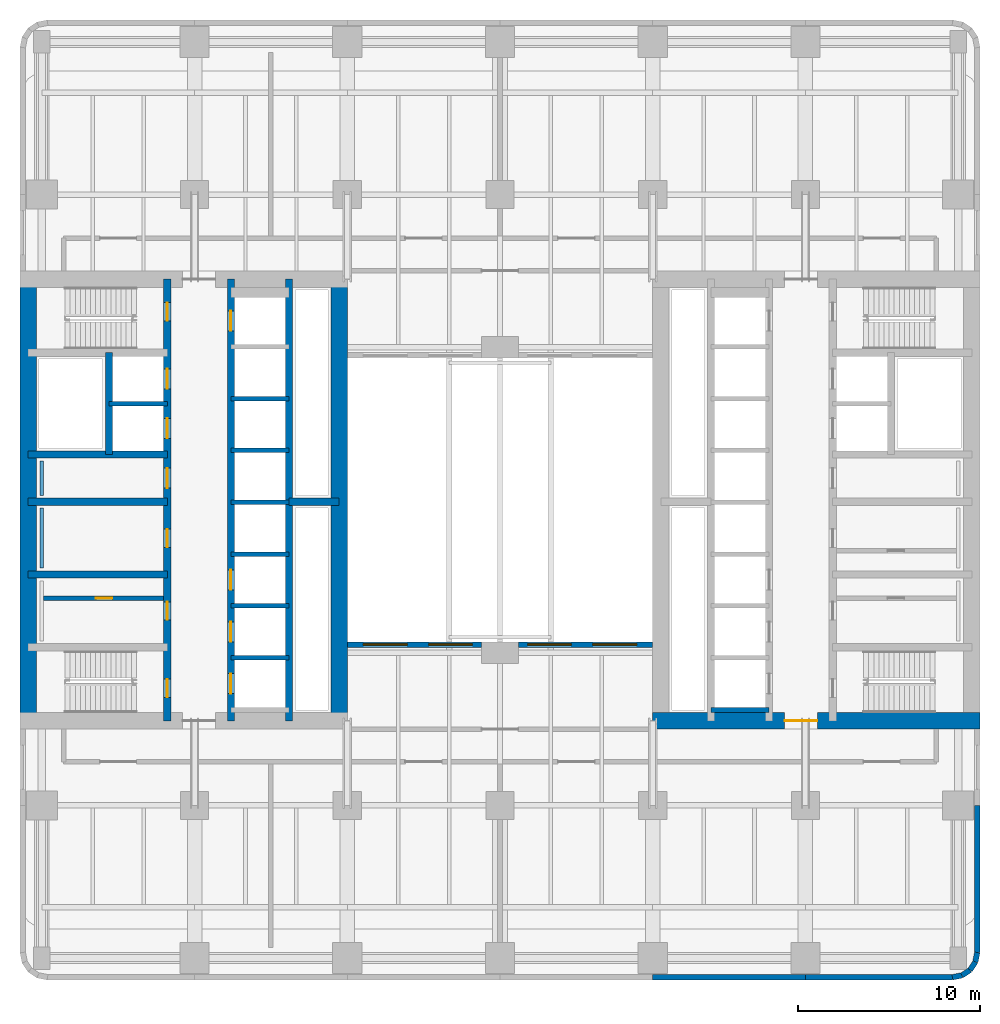
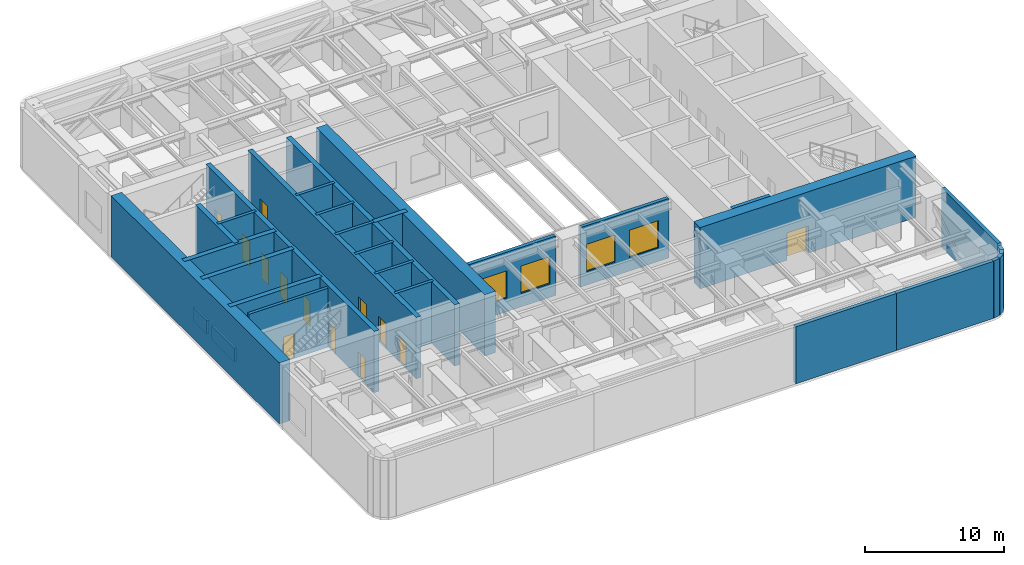
# One storey, part 4 of 11: 31 walls, 13 doors, 4 windows, 17 openings.
"""IFC4 building model written with IfcOpenShell, lengths in metres."""

from ifc_helpers import new_model, si_unit, direction, frame, frame_2d, origin, place, context, subcontext, project, spatial, rectangle, extrude, material, layer, layer_set, type_object, element, fill, save


model = new_model("IFC4")

# Units and contexts
model_context = context("Model", 3, precision=1e-05, world=origin(), true_north=direction((0.0, 1.0)))
body_context = subcontext(model_context, "Body", "Model", "MODEL_VIEW")
ifc_project = project(units=[si_unit("LENGTHUNIT", "METRE"), si_unit("AREAUNIT", "SQUARE_METRE"), si_unit("VOLUMEUNIT", "CUBIC_METRE"), si_unit("PLANEANGLEUNIT", "RADIAN"), si_unit("MASSUNIT", "GRAM", prefix="KILO")], contexts=[model_context])

# Site, building, storey
site_placement = place(None, origin())
site = spatial("IfcSite", under=ifc_project, at=site_placement, CompositionType="ELEMENT")
building_placement = place(site_placement, origin())
building = spatial("IfcBuilding", under=site, at=building_placement, Name="Claustro Exchange Tower", CompositionType="ELEMENT")
storey_placement = place(building_placement, frame((0.0, 0.0, 90.89990234375)))
storey = spatial("IfcBuildingStorey", under=building, at=storey_placement, Name="L20", CompositionType="ELEMENT", Elevation=90.89990234375)

# Wall, opening, door
ifc_material_1 = material(Name="Concrete blockwork, rendered", Category="masonry")
ifc_layer_1 = layer(ifc_material_1, 0.25)
ifc_layer_set_1 = layer_set([ifc_layer_1], Name="Concrete blockwork, rendered")
wall_type_1 = type_object("IfcWallType", Name="P4 250 blockwork wall", PredefinedType="PARTITIONING", material=ifc_layer_set_1)
wall_1_placement = place(storey_placement, frame((0.10009765625, 19.800048828125, 0.0), z_axis=(0.0, 0.0, 1.0), x_axis=(1.0, 0.0, 0.0)))
wall_1 = element("IfcWall", 1, at=wall_1_placement, inside=storey, type_object=wall_type_1, Name="Partition P4 L20", PredefinedType="PARTITIONING", context=body_context, shape_type="SweptSolid", body=[
    extrude(rectangle(XDim=6.599853515625, YDim=0.25, at=frame_2d((3.2998046875, 0.0))), origin(), (0.0, 0.0, 1.0), 5.2001953125),
])
opening_1_placement = place(wall_1_placement, frame((2.875, 0.0, 0.0)))
opening_1 = element("IfcOpeningElement", 2, at=opening_1_placement, cuts=wall_1, Name="Opening D5", PredefinedType="OPENING", context=body_context, shape_type="SweptSolid", body=[
    extrude(rectangle(XDim=0.89990234375, YDim=2.199951171875, at=frame_2d((0.449951171875, 1.10009765625))), frame((0.0, 0.135009765625, 0.0), z_axis=(0.0, -1.0, 0.0), x_axis=(1.0, 0.0, 0.0)), (0.0, 0.0, 1.0), 0.27001953125),
])
ifc_material_2 = material(Name="Steel door, painted", Category="steel")
door_type_1 = type_object("IfcDoorType", Name="D5 900 x 2200 store door", OperationType="SINGLE_SWING_LEFT", PredefinedType="DOOR", material=ifc_material_2)
door_1_placement = place(opening_1_placement, origin())
door_1 = element("IfcDoor", 3, at=door_1_placement, inside=storey, type_object=door_type_1, Name="Store door D5 L20", OperationType="SINGLE_SWING_LEFT", OverallHeight=2.199951171875, OverallWidth=0.89990234375, PredefinedType="DOOR", context=body_context, shape_type="SweptSolid", body=[
    extrude(rectangle(XDim=0.89990234375, YDim=2.199951171875, at=frame_2d((0.449951171875, 1.10009765625))), frame((0.0, 0.02490234375, 0.0), z_axis=(0.0, -1.0, 0.0), x_axis=(1.0, 0.0, 0.0)), (0.0, 0.0, 1.0), 0.050048828125),
])
fill(opening_1, door_1)

# Walls
ifc_material_3 = material(Name="Concrete HA-40 (C40/50), precast, white cement, acid-etched", Category="concrete")
ifc_layer_2 = layer(ifc_material_3, 0.300048828125)
ifc_layer_set_2 = layer_set([ifc_layer_2], Name="Concrete HA-40 (C40/50), precast, white cement, acid-etched")
wall_type_2 = type_object("IfcWallType", Name="PC1 300 precast concrete pier panel", PredefinedType="SOLIDWALL", material=ifc_layer_set_2)
wall_2_placement = place(storey_placement, frame((50.085205078125, -1.050048828125, 0.0), z_axis=(0.0, 0.0, 1.0), x_axis=(-1.0, 0.0, 0.0)))
element("IfcWall", 4, at=wall_2_placement, inside=storey, type_object=wall_type_2, Name="Precast pier panel PC1 L20", PredefinedType="SOLIDWALL", context=body_context, shape_type="SweptSolid", body=[
    extrude(rectangle(XDim=8.085205078125, YDim=0.300048828125, at=frame_2d((4.04248046875, 0.0))), origin(), (0.0, 0.0, 1.0), 5.0400390625),
])
wall_3_placement = place(storey_placement, frame((42.0, -1.050048828125, 0.0), z_axis=(0.0, 0.0, 1.0), x_axis=(-1.0, 0.0, 0.0)))
element("IfcWall", 5, at=wall_3_placement, inside=storey, type_object=wall_type_2, Name="Precast pier panel PC1 L20", PredefinedType="SOLIDWALL", context=body_context, shape_type="SweptSolid", body=[
    extrude(rectangle(XDim=8.39990234375, YDim=0.300048828125, at=frame_2d((4.199951171875, 0.0))), origin(), (0.0, 0.0, 1.0), 5.0400390625),
])
wall_4_placement = place(storey_placement, frame((51.449951171875, 8.39990234375, 0.0), z_axis=(0.0, 0.0, 1.0), x_axis=(0.0, -1.0, 0.0)))
element("IfcWall", 6, at=wall_4_placement, inside=storey, type_object=wall_type_2, Name="Precast pier panel PC1 L20", PredefinedType="SOLIDWALL", context=body_context, shape_type="SweptSolid", body=[
    extrude(rectangle(XDim=8.085205078125, YDim=0.300048828125, at=frame_2d((4.04248046875, 0.0))), origin(), (0.0, 0.0, 1.0), 5.239990234375),
])
wall_5_placement = place(storey_placement, frame((51.449951171875, 0.314697265625, 0.0), z_axis=(0.0, 0.0, 1.0), x_axis=(-0.195073962632, -0.980788534345, 0.0)))
element("IfcWall", 7, at=wall_5_placement, inside=storey, type_object=wall_type_2, Name="Precast pier panel PC1 L20", PredefinedType="SOLIDWALL", context=body_context, shape_type="SweptSolid", body=[
    extrude(rectangle(XDim=0.540771484375, YDim=0.300048828125, at=frame_2d((0.2705078125, 0.0))), origin(), (0.0, 0.0, 1.0), 5.0400390625),
])
for number, where, z_axis, x_axis, name in (
    (8, (51.344482421875, -0.215576171875, 0.0), (0.0, 0.0, 1.0), (-0.555557463938, -0.831478144188, 0.0), "Precast pier panel PC1 L20"),
    (9, (51.052490234375, -0.652587890625, 0.0), (0.0, 0.0, 1.0), (-0.831478144188, -0.555557463938, 0.0), "Precast pier panel PC1 L20"),
):
    element("IfcWall", number, at=place(storey_placement, frame(where, z_axis=z_axis, x_axis=x_axis)), inside=storey, type_object=wall_type_2, Name=name, PredefinedType="SOLIDWALL", context=body_context, shape_type="SweptSolid", body=[
        extrude(rectangle(XDim=0.525634765625, YDim=0.300048828125, at=frame_2d((0.2626953125, 0.0))), origin(), (0.0, 0.0, 1.0), 5.0400390625),
    ])
wall_6_placement = place(storey_placement, frame((50.615478515625, -0.944580078125, 0.0), z_axis=(0.0, 0.0, 1.0), x_axis=(-0.980788534345, -0.195073962632, 0.0)))
element("IfcWall", 10, at=wall_6_placement, inside=storey, type_object=wall_type_2, Name="Precast pier panel PC1 L20", PredefinedType="SOLIDWALL", context=body_context, shape_type="SweptSolid", body=[
    extrude(rectangle(XDim=0.540771484375, YDim=0.300048828125, at=frame_2d((0.2705078125, 0.0))), origin(), (0.0, 0.0, 1.0), 5.0400390625),
])

# Wall, openings, windows
wall_7_placement = place(storey_placement, frame((16.800048828125, 17.25, 0.0), z_axis=(0.0, 0.0, 1.0), x_axis=(1.0, 0.0, 0.0)))
wall_7 = element("IfcWall", 11, at=wall_7_placement, inside=storey, type_object=wall_type_2, Name="Precast pier panel PC1 L20", PredefinedType="SOLIDWALL", context=body_context, shape_type="SweptSolid", body=[
    extrude(rectangle(XDim=7.375, YDim=0.300048828125, at=frame_2d((3.6875, 0.0))), origin(), (0.0, 0.0, 1.0), 5.239990234375),
])
opening_2_placement = place(wall_7_placement, frame((0.887451171875, 0.0, 1.199951171875)))
opening_2 = element("IfcOpeningElement", 12, at=opening_2_placement, cuts=wall_7, Name="Opening L2", PredefinedType="OPENING", context=body_context, shape_type="SweptSolid", body=[
    extrude(rectangle(XDim=2.39990234375, YDim=2.39990234375, at=frame_2d((1.199951171875, 1.199951171875))), frame((0.0, 0.159912109375, 0.0), z_axis=(0.0, -1.0, 0.0), x_axis=(1.0, 0.0, 0.0)), (0.0, 0.0, 1.0), 0.320068359375),
])
opening_3_placement = place(wall_7_placement, frame((4.487548828125, 0.0, 1.199951171875)))
opening_3 = element("IfcOpeningElement", 13, at=opening_3_placement, cuts=wall_7, Name="Opening L2", PredefinedType="OPENING", context=body_context, shape_type="SweptSolid", body=[
    extrude(rectangle(XDim=2.39990234375, YDim=2.39990234375, at=frame_2d((1.199951171875, 1.199951171875))), frame((0.0, 0.159912109375, 0.0), z_axis=(0.0, -1.0, 0.0), x_axis=(1.0, 0.0, 0.0)), (0.0, 0.0, 1.0), 0.320068359375),
])
ifc_material_4 = material(Name="Aluminium louvre blades", Category="aluminium")
window_type = type_object("IfcWindowType", Name="L2 2400 x 2400 plant louvre", PartitioningType="SINGLE_PANEL", PredefinedType="USERDEFINED", material=ifc_material_4)
window_1_placement = place(opening_2_placement, origin())
window_1 = element("IfcWindow", 14, at=window_1_placement, inside=storey, type_object=window_type, Name="Plant louvre L2 L20", ObjectType="LOUVRE", OverallHeight=2.39990234375, OverallWidth=2.39990234375, PartitioningType="SINGLE_PANEL", PredefinedType="USERDEFINED", context=body_context, shape_type="SweptSolid", body=[
    extrude(rectangle(XDim=2.39990234375, YDim=2.39990234375, at=frame_2d((1.199951171875, 1.199951171875))), frame((0.0, 0.030029296875, 0.0), z_axis=(0.0, -1.0, 0.0), x_axis=(1.0, 0.0, 0.0)), (0.0, 0.0, 1.0), 0.06005859375),
])
fill(opening_2, window_1)
window_2_placement = place(opening_3_placement, origin())
window_2 = element("IfcWindow", 15, at=window_2_placement, inside=storey, type_object=window_type, Name="Plant louvre L2 L20", ObjectType="LOUVRE", OverallHeight=2.39990234375, OverallWidth=2.39990234375, PartitioningType="SINGLE_PANEL", PredefinedType="USERDEFINED", context=body_context, shape_type="SweptSolid", body=[
    extrude(rectangle(XDim=2.39990234375, YDim=2.39990234375, at=frame_2d((1.199951171875, 1.199951171875))), frame((0.0, 0.030029296875, 0.0), z_axis=(0.0, -1.0, 0.0), x_axis=(1.0, 0.0, 0.0)), (0.0, 0.0, 1.0), 0.06005859375),
])
fill(opening_3, window_2)

wall_8_placement = place(storey_placement, frame((26.22509765625, 17.25, 0.0), z_axis=(0.0, 0.0, 1.0), x_axis=(1.0, 0.0, 0.0)))
wall_8 = element("IfcWall", 16, at=wall_8_placement, inside=storey, type_object=wall_type_2, Name="Precast pier panel PC1 L20", PredefinedType="SOLIDWALL", context=body_context, shape_type="SweptSolid", body=[
    extrude(rectangle(XDim=7.375, YDim=0.300048828125, at=frame_2d((3.6875, 0.0))), origin(), (0.0, 0.0, 1.0), 5.239990234375),
])
opening_4_placement = place(wall_8_placement, frame((0.487548828125, 0.0, 1.199951171875)))
opening_4 = element("IfcOpeningElement", 17, at=opening_4_placement, cuts=wall_8, Name="Opening L2", PredefinedType="OPENING", context=body_context, shape_type="SweptSolid", body=[
    extrude(rectangle(XDim=2.39990234375, YDim=2.39990234375, at=frame_2d((1.199951171875, 1.199951171875))), frame((0.0, 0.159912109375, 0.0), z_axis=(0.0, -1.0, 0.0), x_axis=(1.0, 0.0, 0.0)), (0.0, 0.0, 1.0), 0.320068359375),
])
opening_5_placement = place(wall_8_placement, frame((4.08740234375, 0.0, 1.199951171875)))
opening_5 = element("IfcOpeningElement", 18, at=opening_5_placement, cuts=wall_8, Name="Opening L2", PredefinedType="OPENING", context=body_context, shape_type="SweptSolid", body=[
    extrude(rectangle(XDim=2.39990234375, YDim=2.39990234375, at=frame_2d((1.199951171875, 1.199951171875))), frame((0.0, 0.159912109375, 0.0), z_axis=(0.0, -1.0, 0.0), x_axis=(1.0, 0.0, 0.0)), (0.0, 0.0, 1.0), 0.320068359375),
])
window_3_placement = place(opening_4_placement, origin())
window_3 = element("IfcWindow", 19, at=window_3_placement, inside=storey, type_object=window_type, Name="Plant louvre L2 L20", ObjectType="LOUVRE", OverallHeight=2.39990234375, OverallWidth=2.39990234375, PartitioningType="SINGLE_PANEL", PredefinedType="USERDEFINED", context=body_context, shape_type="SweptSolid", body=[
    extrude(rectangle(XDim=2.39990234375, YDim=2.39990234375, at=frame_2d((1.199951171875, 1.199951171875))), frame((0.0, 0.030029296875, 0.0), z_axis=(0.0, -1.0, 0.0), x_axis=(1.0, 0.0, 0.0)), (0.0, 0.0, 1.0), 0.06005859375),
])
fill(opening_4, window_3)
window_4_placement = place(opening_5_placement, origin())
window_4 = element("IfcWindow", 20, at=window_4_placement, inside=storey, type_object=window_type, Name="Plant louvre L2 L20", ObjectType="LOUVRE", OverallHeight=2.39990234375, OverallWidth=2.39990234375, PartitioningType="SINGLE_PANEL", PredefinedType="USERDEFINED", context=body_context, shape_type="SweptSolid", body=[
    extrude(rectangle(XDim=2.39990234375, YDim=2.39990234375, at=frame_2d((1.199951171875, 1.199951171875))), frame((0.0, 0.030029296875, 0.0), z_axis=(0.0, -1.0, 0.0), x_axis=(1.0, 0.0, 0.0)), (0.0, 0.0, 1.0), 0.06005859375),
])
fill(opening_5, window_4)

# Walls
ifc_material_5 = material(Name="Gypsum board on steel studs, tiled", Category="steel")
ifc_layer_3 = layer(ifc_material_5, 0.199951171875)
ifc_layer_set_3 = layer_set([ifc_layer_3], Name="Gypsum board on steel studs, tiled")
wall_type_3 = type_object("IfcWallType", Name="PW1 200 WC duct wall", PredefinedType="PLUMBINGWALL", material=ifc_layer_set_3)
wall_9_placement = place(storey_placement, frame((0.0, 21.449951171875, 0.0), z_axis=(0.0, 0.0, 1.0), x_axis=(0.0, 1.0, 0.0)))
element("IfcWall", 21, at=wall_9_placement, inside=storey, type_object=wall_type_3, Name="WC duct wall PW1 L20", PredefinedType="PLUMBINGWALL", context=body_context, shape_type="SweptSolid", body=[
    extrude(rectangle(XDim=3.300048828125, YDim=0.199951171875, at=frame_2d((1.64990234375, 0.0))), origin(), (0.0, 0.0, 1.0), 1.2001953125),
])
wall_10_placement = place(storey_placement, frame((0.0, 25.449951171875, 0.0), z_axis=(0.0, 0.0, 1.0), x_axis=(0.0, 1.0, 0.0)))
element("IfcWall", 22, at=wall_10_placement, inside=storey, type_object=wall_type_3, Name="WC duct wall PW1 L20", PredefinedType="PLUMBINGWALL", context=body_context, shape_type="SweptSolid", body=[
    extrude(rectangle(XDim=1.900146484375, YDim=0.199951171875, at=frame_2d((0.9501953125, 0.0))), origin(), (0.0, 0.0, 1.0), 1.2001953125),
])

# Wall, opening, door
ifc_material_6 = material(Name="Concrete HA-70 (C70/85)", Category="concrete")
ifc_layer_4 = layer(ifc_material_6, 0.89990234375)
ifc_layer_set_4 = layer_set([ifc_layer_4], Name="Concrete HA-70 (C70/85)")
wall_type_4 = type_object("IfcWallType", Name="SW1 900 core shear wall", PredefinedType="SHEAR", material=ifc_layer_set_4)
wall_11_placement = place(storey_placement, frame((33.60009765625, 13.050048828125, 0.0), z_axis=(0.0, 0.0, 1.0), x_axis=(1.0, 0.0, 0.0)))
wall_11 = element("IfcWall", 23, at=wall_11_placement, inside=storey, type_object=wall_type_4, Name="Core wall SW1 E core S face L20", PredefinedType="SHEAR", context=body_context, shape_type="SweptSolid", body=[
    extrude(rectangle(XDim=18.0, YDim=0.89990234375, at=frame_2d((9.0, 0.0))), origin(), (0.0, 0.0, 1.0), 5.400146484375),
])
opening_6_placement = place(wall_11_placement, frame((7.25, 0.0, 0.0)))
opening_6 = element("IfcOpeningElement", 24, at=opening_6_placement, cuts=wall_11, Name="Opening D3", PredefinedType="OPENING", context=body_context, shape_type="SweptSolid", body=[
    extrude(rectangle(XDim=1.800048828125, YDim=2.39990234375, at=frame_2d((0.89990234375, 1.199951171875))), frame((0.0, 0.4599609375, 0.0), z_axis=(0.0, -1.0, 0.0), x_axis=(1.0, 0.0, 0.0)), (0.0, 0.0, 1.0), 0.919921875),
])
ifc_material_7 = material(Name="Steel fire door, painted", Category="steel")
door_type_2 = type_object("IfcDoorType", Name="D3 1800 x 2400 fire-rated lobby double door", OperationType="DOUBLE_DOOR_SINGLE_SWING", PredefinedType="DOOR", material=ifc_material_7)
door_2_placement = place(opening_6_placement, origin())
door_2 = element("IfcDoor", 25, at=door_2_placement, inside=storey, type_object=door_type_2, Name="Lift lobby door D3 L20", OperationType="DOUBLE_DOOR_SINGLE_SWING", OverallHeight=2.39990234375, OverallWidth=1.800048828125, PredefinedType="DOOR", context=body_context, shape_type="SweptSolid", body=[
    extrude(rectangle(XDim=1.800048828125, YDim=2.39990234375, at=frame_2d((0.89990234375, 1.199951171875))), frame((0.0, 0.02490234375, 0.0), z_axis=(0.0, -1.0, 0.0), x_axis=(1.0, 0.0, 0.0)), (0.0, 0.0, 1.0), 0.050048828125),
])
fill(opening_6, door_2)

# Walls
ifc_material_8 = material(Name="Concrete HA-70 (C70/85)", Category="concrete")
ifc_layer_5 = layer(ifc_material_8, 0.89990234375)
ifc_layer_set_5 = layer_set([ifc_layer_5], Name="Concrete HA-70 (C70/85)")
wall_type_5 = type_object("IfcWallType", Name="SW1X 900 exposed core shear wall, board-marked face", PredefinedType="SHEAR", material=ifc_layer_set_5)
for number, where, z_axis, x_axis, name in (
    (26, (-0.75, 13.050048828125, 0.0), (0.0, 0.0, 1.0), (0.0, 1.0, 0.0), "Core wall SW1X W core W face L20"),
    (27, (16.35009765625, 13.050048828125, 0.0), (0.0, 0.0, 1.0), (0.0, 1.0, 0.0), "Core wall SW1X W core E face L20"),
):
    element("IfcWall", number, at=place(storey_placement, frame(where, z_axis=z_axis, x_axis=x_axis)), inside=storey, type_object=wall_type_5, Name=name, PredefinedType="SHEAR", context=body_context, shape_type="SweptSolid", body=[
        extrude(rectangle(XDim=24.300048828125, YDim=0.89990234375, at=frame_2d((12.14990234375, 0.0))), origin(), (0.0, 0.0, 1.0), 5.400146484375),
    ])

# Wall, openings, doors
ifc_material_9 = material(Name="Concrete HA-50 (C50/60)", Category="concrete")
ifc_layer_6 = layer(ifc_material_9, 0.39990234375)
ifc_layer_set_6 = layer_set([ifc_layer_6], Name="Concrete HA-50 (C50/60)")
wall_type_6 = type_object("IfcWallType", Name="SW4 400 internal core wall", PredefinedType="SHEAR", material=ifc_layer_set_6)
wall_12_placement = place(storey_placement, frame((6.89990234375, 13.050048828125, 0.0), z_axis=(0.0, 0.0, 1.0), x_axis=(0.0, 1.0, 0.0)))
wall_12 = element("IfcWall", 28, at=wall_12_placement, inside=storey, type_object=wall_type_6, Name="Internal core wall SW4 W core L20", PredefinedType="SHEAR", context=body_context, shape_type="SweptSolid", body=[
    extrude(rectangle(XDim=24.300048828125, YDim=0.39990234375, at=frame_2d((12.14990234375, 0.0))), origin(), (0.0, 0.0, 1.0), 5.400146484375),
])
opening_7_placement = place(wall_12_placement, frame((1.300048828125, 0.0, 0.0)))
opening_7 = element("IfcOpeningElement", 29, at=opening_7_placement, cuts=wall_12, Name="Opening D4", PredefinedType="OPENING", context=body_context, shape_type="SweptSolid", body=[
    extrude(rectangle(XDim=1.0, YDim=2.199951171875, at=frame_2d((0.5, 1.10009765625))), frame((0.0, 0.2099609375, 0.0), z_axis=(0.0, -1.0, 0.0), x_axis=(1.0, 0.0, 0.0)), (0.0, 0.0, 1.0), 0.419921875),
])
opening_8_placement = place(wall_12_placement, frame((22.0, 0.0, 0.0)))
opening_8 = element("IfcOpeningElement", 30, at=opening_8_placement, cuts=wall_12, Name="Opening D4", PredefinedType="OPENING", context=body_context, shape_type="SweptSolid", body=[
    extrude(rectangle(XDim=1.0, YDim=2.199951171875, at=frame_2d((0.5, 1.10009765625))), frame((0.0, 0.2099609375, 0.0), z_axis=(0.0, -1.0, 0.0), x_axis=(1.0, 0.0, 0.0)), (0.0, 0.0, 1.0), 0.419921875),
])
opening_9_placement = place(wall_12_placement, frame((5.550048828125, 0.0, 0.0)))
opening_9 = element("IfcOpeningElement", 31, at=opening_9_placement, cuts=wall_12, Name="Opening D1", PredefinedType="OPENING", context=body_context, shape_type="SweptSolid", body=[
    extrude(rectangle(XDim=1.0, YDim=2.199951171875, at=frame_2d((0.5, 1.10009765625))), frame((0.0, 0.2099609375, 0.0), z_axis=(0.0, -1.0, 0.0), x_axis=(1.0, 0.0, 0.0)), (0.0, 0.0, 1.0), 0.419921875),
])
opening_10_placement = place(wall_12_placement, frame((9.550048828125, 0.0, 0.0)))
opening_10 = element("IfcOpeningElement", 32, at=opening_10_placement, cuts=wall_12, Name="Opening D1", PredefinedType="OPENING", context=body_context, shape_type="SweptSolid", body=[
    extrude(rectangle(XDim=1.0, YDim=2.199951171875, at=frame_2d((0.5, 1.10009765625))), frame((0.0, 0.2099609375, 0.0), z_axis=(0.0, -1.0, 0.0), x_axis=(1.0, 0.0, 0.0)), (0.0, 0.0, 1.0), 0.419921875),
])
opening_11_placement = place(wall_12_placement, frame((12.800048828125, 0.0, 0.0)))
opening_11 = element("IfcOpeningElement", 33, at=opening_11_placement, cuts=wall_12, Name="Opening D10", PredefinedType="OPENING", context=body_context, shape_type="SweptSolid", body=[
    extrude(rectangle(XDim=1.10009765625, YDim=2.199951171875, at=frame_2d((0.550048828125, 1.10009765625))), frame((0.0, 0.2099609375, 0.0), z_axis=(0.0, -1.0, 0.0), x_axis=(1.0, 0.0, 0.0)), (0.0, 0.0, 1.0), 0.419921875),
])
opening_12_placement = place(wall_12_placement, frame((15.53759765625, 0.0, 0.0)))
opening_12 = element("IfcOpeningElement", 34, at=opening_12_placement, cuts=wall_12, Name="Opening LD", PredefinedType="OPENING", context=body_context, shape_type="SweptSolid", body=[
    extrude(rectangle(XDim=1.10009765625, YDim=2.199951171875, at=frame_2d((0.550048828125, 1.10009765625))), frame((0.0, 0.2099609375, 0.0), z_axis=(0.0, -1.0, 0.0), x_axis=(1.0, 0.0, 0.0)), (0.0, 0.0, 1.0), 0.419921875),
])
opening_13_placement = place(wall_12_placement, frame((18.262451171875, 0.0, 0.0)))
opening_13 = element("IfcOpeningElement", 35, at=opening_13_placement, cuts=wall_12, Name="Opening LD", PredefinedType="OPENING", context=body_context, shape_type="SweptSolid", body=[
    extrude(rectangle(XDim=1.10009765625, YDim=2.199951171875, at=frame_2d((0.550048828125, 1.10009765625))), frame((0.0, 0.2099609375, 0.0), z_axis=(0.0, -1.0, 0.0), x_axis=(1.0, 0.0, 0.0)), (0.0, 0.0, 1.0), 0.419921875),
])
ifc_material_10 = material(Name="Timber door, oak veneer", Category="wood")
door_type_3 = type_object("IfcDoorType", Name="D1 1000 x 2200 single door", OperationType="SINGLE_SWING_LEFT", PredefinedType="DOOR", material=ifc_material_10)
door_3_placement = place(opening_9_placement, origin())
door_3 = element("IfcDoor", 36, at=door_3_placement, inside=storey, type_object=door_type_3, Name="Door D1 L20", OperationType="SINGLE_SWING_RIGHT", OverallHeight=2.199951171875, OverallWidth=1.0, PredefinedType="DOOR", context=body_context, shape_type="SweptSolid", body=[
    extrude(rectangle(XDim=1.0, YDim=2.199951171875, at=frame_2d((0.5, 1.10009765625))), frame((0.0, 0.02490234375, 0.0), z_axis=(0.0, -1.0, 0.0), x_axis=(1.0, 0.0, 0.0)), (0.0, 0.0, 1.0), 0.050048828125),
])
fill(opening_9, door_3)
door_4_placement = place(opening_10_placement, origin())
door_4 = element("IfcDoor", 37, at=door_4_placement, inside=storey, type_object=door_type_3, Name="Door D1 L20", OperationType="SINGLE_SWING_RIGHT", OverallHeight=2.199951171875, OverallWidth=1.0, PredefinedType="DOOR", context=body_context, shape_type="SweptSolid", body=[
    extrude(rectangle(XDim=1.0, YDim=2.199951171875, at=frame_2d((0.5, 1.10009765625))), frame((0.0, 0.02490234375, 0.0), z_axis=(0.0, -1.0, 0.0), x_axis=(1.0, 0.0, 0.0)), (0.0, 0.0, 1.0), 0.050048828125),
])
fill(opening_10, door_4)
ifc_material_11 = material(Name="Timber door, oak veneer", Category="wood")
door_type_4 = type_object("IfcDoorType", Name="D10 1100 x 2200 accessible WC door", OperationType="SINGLE_SWING_LEFT", PredefinedType="DOOR", material=ifc_material_11)
door_5_placement = place(opening_11_placement, frame((1.10009765625, 0.0, 0.0), z_axis=(0.0, 0.0, 1.0), x_axis=(-1.0, 0.0, 0.0)))
door_5 = element("IfcDoor", 38, at=door_5_placement, inside=storey, type_object=door_type_4, Name="Accessible WC door D10 L20", OperationType="SINGLE_SWING_LEFT", OverallHeight=2.199951171875, OverallWidth=1.10009765625, PredefinedType="DOOR", context=body_context, shape_type="SweptSolid", body=[
    extrude(rectangle(XDim=1.10009765625, YDim=2.199951171875, at=frame_2d((0.550048828125, 1.10009765625))), frame((0.0, 0.02490234375, 0.0), z_axis=(0.0, -1.0, 0.0), x_axis=(1.0, 0.0, 0.0)), (0.0, 0.0, 1.0), 0.050048828125),
])
fill(opening_11, door_5)
ifc_material_12 = material(Name="Steel fire door, painted", Category="steel")
door_type_5 = type_object("IfcDoorType", Name="D4 1000 x 2200 fire-rated stair door", OperationType="SINGLE_SWING_LEFT", PredefinedType="DOOR", material=ifc_material_12)
door_6_placement = place(opening_7_placement, origin())
door_6 = element("IfcDoor", 39, at=door_6_placement, inside=storey, type_object=door_type_5, Name="Stair door D4 L20", OperationType="SINGLE_SWING_LEFT", OverallHeight=2.199951171875, OverallWidth=1.0, PredefinedType="DOOR", context=body_context, shape_type="SweptSolid", body=[
    extrude(rectangle(XDim=1.0, YDim=2.199951171875, at=frame_2d((0.5, 1.10009765625))), frame((0.0, 0.02490234375, 0.0), z_axis=(0.0, -1.0, 0.0), x_axis=(1.0, 0.0, 0.0)), (0.0, 0.0, 1.0), 0.050048828125),
])
fill(opening_7, door_6)
door_7_placement = place(opening_8_placement, origin())
door_7 = element("IfcDoor", 40, at=door_7_placement, inside=storey, type_object=door_type_5, Name="Stair door D4 L20", OperationType="SINGLE_SWING_RIGHT", OverallHeight=2.199951171875, OverallWidth=1.0, PredefinedType="DOOR", context=body_context, shape_type="SweptSolid", body=[
    extrude(rectangle(XDim=1.0, YDim=2.199951171875, at=frame_2d((0.5, 1.10009765625))), frame((0.0, 0.02490234375, 0.0), z_axis=(0.0, -1.0, 0.0), x_axis=(1.0, 0.0, 0.0)), (0.0, 0.0, 1.0), 0.050048828125),
])
fill(opening_8, door_7)
ifc_material_13 = material(Name="Stainless steel sliding door", Category="steel")
door_type_6 = type_object("IfcDoorType", Name="LD 1100 x 2200 lift landing door", OperationType="DOUBLE_DOOR_SLIDING", PredefinedType="DOOR", material=ifc_material_13)
door_8_placement = place(opening_12_placement, origin())
door_8 = element("IfcDoor", 41, at=door_8_placement, inside=storey, type_object=door_type_6, Name="Lift landing door LEW1 LD L20", OperationType="DOUBLE_DOOR_SLIDING", OverallHeight=2.199951171875, OverallWidth=1.10009765625, PredefinedType="DOOR", context=body_context, shape_type="SweptSolid", body=[
    extrude(rectangle(XDim=1.10009765625, YDim=2.199951171875, at=frame_2d((0.550048828125, 1.10009765625))), frame((0.0, 0.02490234375, 0.0), z_axis=(0.0, -1.0, 0.0), x_axis=(1.0, 0.0, 0.0)), (0.0, 0.0, 1.0), 0.050048828125),
])
fill(opening_12, door_8)
door_9_placement = place(opening_13_placement, origin())
door_9 = element("IfcDoor", 42, at=door_9_placement, inside=storey, type_object=door_type_6, Name="Lift landing door LEW2 LD L20", OperationType="DOUBLE_DOOR_SLIDING", OverallHeight=2.199951171875, OverallWidth=1.10009765625, PredefinedType="DOOR", context=body_context, shape_type="SweptSolid", body=[
    extrude(rectangle(XDim=1.10009765625, YDim=2.199951171875, at=frame_2d((0.550048828125, 1.10009765625))), frame((0.0, 0.02490234375, 0.0), z_axis=(0.0, -1.0, 0.0), x_axis=(1.0, 0.0, 0.0)), (0.0, 0.0, 1.0), 0.050048828125),
])
fill(opening_13, door_9)

wall_13_placement = place(storey_placement, frame((10.39990234375, 13.050048828125, 0.0), z_axis=(0.0, 0.0, 1.0), x_axis=(0.0, 1.0, 0.0)))
wall_13 = element("IfcWall", 43, at=wall_13_placement, inside=storey, type_object=wall_type_6, Name="Internal core wall SW4 W core L20", PredefinedType="SHEAR", context=body_context, shape_type="SweptSolid", body=[
    extrude(rectangle(XDim=24.300048828125, YDim=0.39990234375, at=frame_2d((12.14990234375, 0.0))), origin(), (0.0, 0.0, 1.0), 5.400146484375),
])
opening_14_placement = place(wall_13_placement, frame((1.5, 0.0, 0.0)))
opening_14 = element("IfcOpeningElement", 44, at=opening_14_placement, cuts=wall_13, Name="Opening LD", PredefinedType="OPENING", context=body_context, shape_type="SweptSolid", body=[
    extrude(rectangle(XDim=1.10009765625, YDim=2.199951171875, at=frame_2d((0.550048828125, 1.10009765625))), frame((0.0, 0.2099609375, 0.0), z_axis=(0.0, -1.0, 0.0), x_axis=(1.0, 0.0, 0.0)), (0.0, 0.0, 1.0), 0.419921875),
])
opening_15_placement = place(wall_13_placement, frame((4.35009765625, 0.0, 0.0)))
opening_15 = element("IfcOpeningElement", 45, at=opening_15_placement, cuts=wall_13, Name="Opening LD", PredefinedType="OPENING", context=body_context, shape_type="SweptSolid", body=[
    extrude(rectangle(XDim=1.10009765625, YDim=2.199951171875, at=frame_2d((0.550048828125, 1.10009765625))), frame((0.0, 0.2099609375, 0.0), z_axis=(0.0, -1.0, 0.0), x_axis=(1.0, 0.0, 0.0)), (0.0, 0.0, 1.0), 0.419921875),
])
opening_16_placement = place(wall_13_placement, frame((7.199951171875, 0.0, 0.0)))
opening_16 = element("IfcOpeningElement", 46, at=opening_16_placement, cuts=wall_13, Name="Opening LD", PredefinedType="OPENING", context=body_context, shape_type="SweptSolid", body=[
    extrude(rectangle(XDim=1.10009765625, YDim=2.199951171875, at=frame_2d((0.550048828125, 1.10009765625))), frame((0.0, 0.2099609375, 0.0), z_axis=(0.0, -1.0, 0.0), x_axis=(1.0, 0.0, 0.0)), (0.0, 0.0, 1.0), 0.419921875),
])
opening_17_placement = place(wall_13_placement, frame((21.449951171875, 0.0, 0.0)))
opening_17 = element("IfcOpeningElement", 47, at=opening_17_placement, cuts=wall_13, Name="Opening LD", PredefinedType="OPENING", context=body_context, shape_type="SweptSolid", body=[
    extrude(rectangle(XDim=1.10009765625, YDim=2.199951171875, at=frame_2d((0.550048828125, 1.10009765625))), frame((0.0, 0.2099609375, 0.0), z_axis=(0.0, -1.0, 0.0), x_axis=(1.0, 0.0, 0.0)), (0.0, 0.0, 1.0), 0.419921875),
])
door_10_placement = place(opening_14_placement, origin())
door_10 = element("IfcDoor", 48, at=door_10_placement, inside=storey, type_object=door_type_6, Name="Lift landing door LLW1 LD L20", OperationType="DOUBLE_DOOR_SLIDING", OverallHeight=2.199951171875, OverallWidth=1.10009765625, PredefinedType="DOOR", context=body_context, shape_type="SweptSolid", body=[
    extrude(rectangle(XDim=1.10009765625, YDim=2.199951171875, at=frame_2d((0.550048828125, 1.10009765625))), frame((0.0, 0.02490234375, 0.0), z_axis=(0.0, -1.0, 0.0), x_axis=(1.0, 0.0, 0.0)), (0.0, 0.0, 1.0), 0.050048828125),
])
fill(opening_14, door_10)
door_11_placement = place(opening_15_placement, origin())
door_11 = element("IfcDoor", 49, at=door_11_placement, inside=storey, type_object=door_type_6, Name="Lift landing door LLW2 LD L20", OperationType="DOUBLE_DOOR_SLIDING", OverallHeight=2.199951171875, OverallWidth=1.10009765625, PredefinedType="DOOR", context=body_context, shape_type="SweptSolid", body=[
    extrude(rectangle(XDim=1.10009765625, YDim=2.199951171875, at=frame_2d((0.550048828125, 1.10009765625))), frame((0.0, 0.02490234375, 0.0), z_axis=(0.0, -1.0, 0.0), x_axis=(1.0, 0.0, 0.0)), (0.0, 0.0, 1.0), 0.050048828125),
])
fill(opening_15, door_11)
door_12_placement = place(opening_16_placement, origin())
door_12 = element("IfcDoor", 50, at=door_12_placement, inside=storey, type_object=door_type_6, Name="Lift landing door LLW3 LD L20", OperationType="DOUBLE_DOOR_SLIDING", OverallHeight=2.199951171875, OverallWidth=1.10009765625, PredefinedType="DOOR", context=body_context, shape_type="SweptSolid", body=[
    extrude(rectangle(XDim=1.10009765625, YDim=2.199951171875, at=frame_2d((0.550048828125, 1.10009765625))), frame((0.0, 0.02490234375, 0.0), z_axis=(0.0, -1.0, 0.0), x_axis=(1.0, 0.0, 0.0)), (0.0, 0.0, 1.0), 0.050048828125),
])
fill(opening_16, door_12)
door_13_placement = place(opening_17_placement, origin())
door_13 = element("IfcDoor", 51, at=door_13_placement, inside=storey, type_object=door_type_6, Name="Lift landing door LSW1 LD L20", OperationType="DOUBLE_DOOR_SLIDING", OverallHeight=2.199951171875, OverallWidth=1.10009765625, PredefinedType="DOOR", context=body_context, shape_type="SweptSolid", body=[
    extrude(rectangle(XDim=1.10009765625, YDim=2.199951171875, at=frame_2d((0.550048828125, 1.10009765625))), frame((0.0, 0.02490234375, 0.0), z_axis=(0.0, -1.0, 0.0), x_axis=(1.0, 0.0, 0.0)), (0.0, 0.0, 1.0), 0.050048828125),
])
fill(opening_17, door_13)

# Walls
wall_14_placement = place(storey_placement, frame((13.60009765625, 13.050048828125, 0.0), z_axis=(0.0, 0.0, 1.0), x_axis=(0.0, 1.0, 0.0)))
element("IfcWall", 52, at=wall_14_placement, inside=storey, type_object=wall_type_6, Name="Internal core wall SW4 W core L20", PredefinedType="SHEAR", context=body_context, shape_type="SweptSolid", body=[
    extrude(rectangle(XDim=24.300048828125, YDim=0.39990234375, at=frame_2d((12.14990234375, 0.0))), origin(), (0.0, 0.0, 1.0), 5.400146484375),
])
for number, where, z_axis, x_axis, name in (
    (53, (-0.75, 21.10009765625, 0.0), (0.0, 0.0, 1.0), (1.0, 0.0, 0.0), "Internal core wall SW4 W core L20"),
    (54, (-0.75, 25.10009765625, 0.0), (0.0, 0.0, 1.0), (1.0, 0.0, 0.0), "Internal core wall SW4 W core L20"),
    (55, (-0.75, 27.699951171875, 0.0), (0.0, 0.0, 1.0), (1.0, 0.0, 0.0), "Internal core wall SW4 W core L20"),
):
    element("IfcWall", number, at=place(storey_placement, frame(where, z_axis=z_axis, x_axis=x_axis)), inside=storey, type_object=wall_type_6, Name=name, PredefinedType="SHEAR", context=body_context, shape_type="SweptSolid", body=[
        extrude(rectangle(XDim=7.64990234375, YDim=0.39990234375, at=frame_2d((3.824951171875, 0.0))), origin(), (0.0, 0.0, 1.0), 5.400146484375),
    ])
wall_15_placement = place(storey_placement, frame((3.699951171875, 27.699951171875, 0.0), z_axis=(0.0, 0.0, 1.0), x_axis=(0.0, 1.0, 0.0)))
element("IfcWall", 56, at=wall_15_placement, inside=storey, type_object=wall_type_6, Name="Internal core wall SW4 W core L20", PredefinedType="SHEAR", context=body_context, shape_type="SweptSolid", body=[
    extrude(rectangle(XDim=5.60009765625, YDim=0.39990234375, at=frame_2d((2.800048828125, 0.0))), origin(), (0.0, 0.0, 1.0), 5.400146484375),
])
wall_16_placement = place(storey_placement, frame((13.60009765625, 25.10009765625, 0.0), z_axis=(0.0, 0.0, 1.0), x_axis=(1.0, 0.0, 0.0)))
element("IfcWall", 57, at=wall_16_placement, inside=storey, type_object=wall_type_6, Name="Internal core wall SW4 W core L20", PredefinedType="SHEAR", context=body_context, shape_type="SweptSolid", body=[
    extrude(rectangle(XDim=2.75, YDim=0.39990234375, at=frame_2d((1.375, 0.0))), origin(), (0.0, 0.0, 1.0), 5.400146484375),
])
ifc_material_14 = material(Name="Concrete HA-50 (C50/60)", Category="concrete")
ifc_layer_7 = layer(ifc_material_14, 0.25)
ifc_layer_set_7 = layer_set([ifc_layer_7], Name="Concrete HA-50 (C50/60)")
wall_type_7 = type_object("IfcWallType", Name="SW5 250 lift shaft divider wall", PredefinedType="SHEAR", material=ifc_layer_set_7)
wall_17_placement = place(storey_placement, frame((3.699951171875, 30.5, 0.0), z_axis=(0.0, 0.0, 1.0), x_axis=(1.0, 0.0, 0.0)))
element("IfcWall", 58, at=wall_17_placement, inside=storey, type_object=wall_type_7, Name="Lift shaft wall W core L20", PredefinedType="SHEAR", context=body_context, shape_type="SweptSolid", body=[
    extrude(rectangle(XDim=3.199951171875, YDim=0.25, at=frame_2d((1.60009765625, 0.0))), origin(), (0.0, 0.0, 1.0), 5.400146484375),
])
for number, where, z_axis, x_axis, name in (
    (59, (10.39990234375, 16.52490234375, 0.0), (0.0, 0.0, 1.0), (1.0, 0.0, 0.0), "Lift shaft wall W core L20"),
    (60, (10.39990234375, 19.375, 0.0), (0.0, 0.0, 1.0), (1.0, 0.0, 0.0), "Lift shaft wall W core L20"),
    (61, (10.39990234375, 22.22509765625, 0.0), (0.0, 0.0, 1.0), (1.0, 0.0, 0.0), "Lift shaft wall W core L20"),
    (62, (10.39990234375, 25.074951171875, 0.0), (0.0, 0.0, 1.0), (1.0, 0.0, 0.0), "Lift shaft wall W core L20"),
    (63, (10.39990234375, 27.925048828125, 0.0), (0.0, 0.0, 1.0), (1.0, 0.0, 0.0), "Lift shaft wall W core L20"),
    (64, (10.39990234375, 30.77490234375, 0.0), (0.0, 0.0, 1.0), (1.0, 0.0, 0.0), "Lift shaft wall W core L20"),
):
    element("IfcWall", number, at=place(storey_placement, frame(where, z_axis=z_axis, x_axis=x_axis)), inside=storey, type_object=wall_type_7, Name=name, PredefinedType="SHEAR", context=body_context, shape_type="SweptSolid", body=[
        extrude(rectangle(XDim=3.2001953125, YDim=0.25, at=frame_2d((1.60009765625, 0.0))), origin(), (0.0, 0.0, 1.0), 5.400146484375),
    ])
ifc_material_15 = material(Name="Concrete HA-50 (C50/60)", Category="concrete")
ifc_layer_8 = layer(ifc_material_15, 0.300048828125)
ifc_layer_set_8 = layer_set([ifc_layer_8], Name="Concrete HA-50 (C50/60)")
wall_type_8 = type_object("IfcWallType", Name="SW6A 300 lift shaft end wall", PredefinedType="SHEAR", material=ifc_layer_set_8)
wall_18_placement = place(storey_placement, frame((40.0, 13.64990234375, 0.0), z_axis=(0.0, 0.0, 1.0), x_axis=(-1.0, 0.0, 0.0)))
element("IfcWall", 65, at=wall_18_placement, inside=storey, type_object=wall_type_8, Name="Lift shaft wall E core L20", PredefinedType="SHEAR", context=body_context, shape_type="SweptSolid", body=[
    extrude(rectangle(XDim=3.199951171875, YDim=0.300048828125, at=frame_2d((1.60009765625, 0.0))), origin(), (0.0, 0.0, 1.0), 5.400146484375),
])

save(model, "model.ifc")
